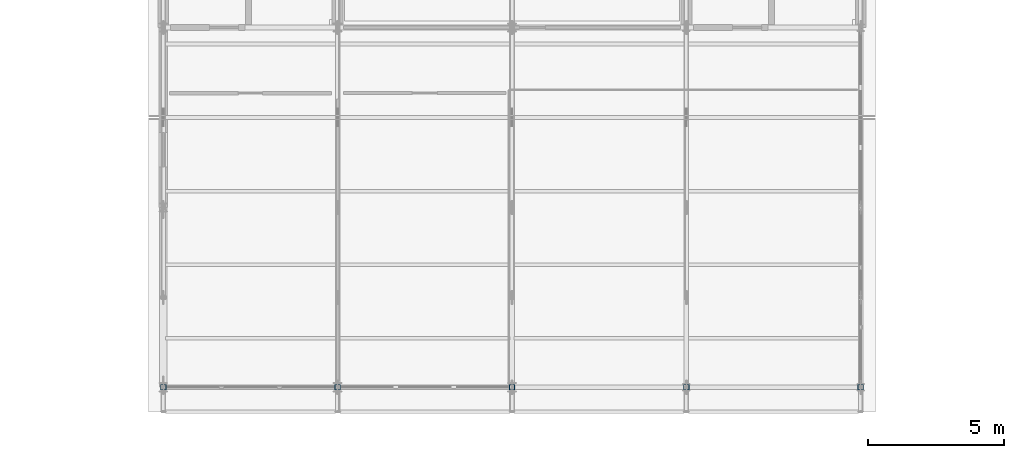
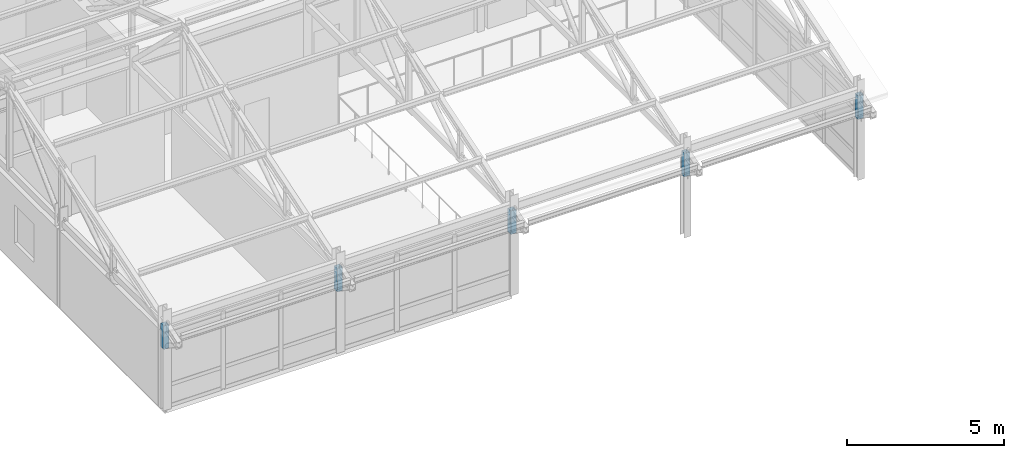
# One storey, part 32 of 57: 5 members.
"""IFC4 building model written with IfcOpenShell, lengths in metres."""

from ifc_helpers import new_model, si_unit, direction, frame, origin, origin_2d, place, context, subcontext, project, spatial, hollow_rectangle, extrude, material, material_profile, profile_set, type_object, element, save


model = new_model("IFC4")

# Units and contexts
model_context = context("Model", 3, precision=1e-05, world=origin(), true_north=direction((0.0, 1.0)))
body_context = subcontext(model_context, "Body", "Model", "MODEL_VIEW")
ifc_project = project(units=[si_unit("LENGTHUNIT", "METRE"), si_unit("AREAUNIT", "SQUARE_METRE"), si_unit("VOLUMEUNIT", "CUBIC_METRE"), si_unit("PLANEANGLEUNIT", "RADIAN"), si_unit("MASSUNIT", "GRAM", prefix="KILO")], contexts=[model_context])

# Site, building, storey
site_placement = place(None, origin())
site = spatial("IfcSite", under=ifc_project, at=site_placement, CompositionType="ELEMENT")
building_placement = place(site_placement, origin())
building = spatial("IfcBuilding", under=site, at=building_placement, Name="Trelmorton Wharf Fire Station", CompositionType="ELEMENT")
storey_placement = place(building_placement, frame((0.0, 0.0, 13.5)))
storey = spatial("IfcBuildingStorey", under=building, at=storey_placement, Name="L03", CompositionType="ELEMENT", Elevation=13.5)

# Members
ifc_material = material(Name="Steel C350L0 (350 MPa)", Category="steel")
ifc_material_profile = material_profile(ifc_material, hollow_rectangle(XDim=0.199951171875, YDim=0.199951171875, WallThickness=0.010009765625, at=origin_2d()), Name="200x200x10.0SHS")
ifc_profile_set = profile_set([ifc_material_profile], Name="Steel C350L0 (350 MPa)")
member_type = type_object("IfcMemberType", Name="TR_POST_200SHS", PredefinedType="POST", material=ifc_profile_set)
for number, where, z_axis, x_axis, name in (
    (1, (58.0, 7.800048828125, 2.35009765625), (0.0, 0.0, 1.0), (1.0, 0.0, 0.0), "V3-TR01-SHS"),
    (2, (64.39990234375, 7.800048828125, 2.35009765625), (0.0, 0.0, 1.0), (1.0, 0.0, 0.0), "V3-TR02-SHS"),
    (3, (70.800048828125, 7.800048828125, 2.35009765625), (0.0, 0.0, 1.0), (1.0, 0.0, 0.0), "V3-TR03-SHS"),
    (4, (77.199951171875, 7.800048828125, 2.35009765625), (0.0, 0.0, 1.0), (1.0, 0.0, 0.0), "V3-TR04-SHS"),
    (5, (83.60009765625, 7.800048828125, 2.35009765625), (0.0, 0.0, 1.0), (1.0, 0.0, 0.0), "V3-TR05-SHS"),
):
    element("IfcMember", number, at=place(storey_placement, frame(where, z_axis=z_axis, x_axis=x_axis)), inside=storey, type_object=member_type, Name=name, PredefinedType="POST", context=body_context, shape_type="SweptSolid", body=[
        extrude(hollow_rectangle(XDim=0.199951171875, YDim=0.199951171875, WallThickness=0.010009765625, at=origin_2d()), origin(), (0.0, 0.0, 1.0), 0.915771484375),
    ])

save(model, "model.ifc")
